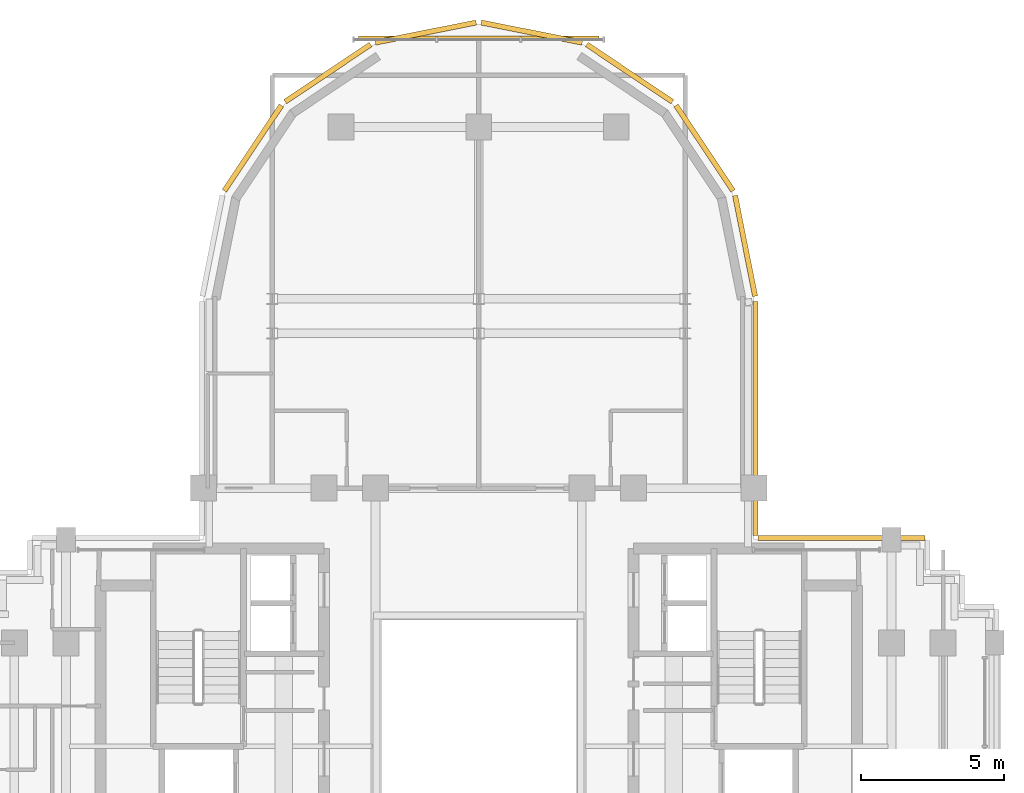
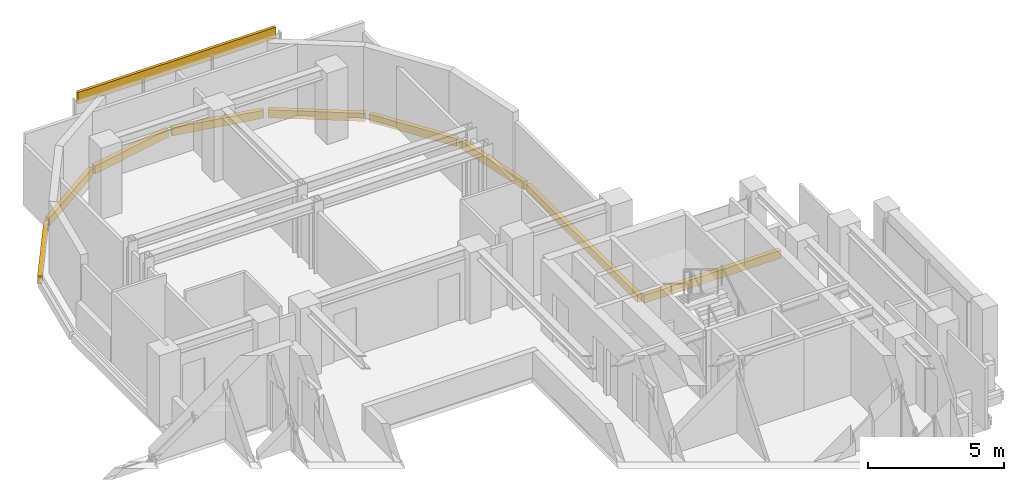
# One storey, part 12 of 12: 10 coverings.
"""IFC4 building model written with IfcOpenShell, lengths in metres."""

from ifc_helpers import new_model, si_unit, direction, frame, origin, origin_2d, place, context, subcontext, project, spatial, rectangle, extrude, source, transform, mapped, material, layer, layer_set, type_object, element, save


model = new_model("IFC4")

# Units and contexts
model_context = context("Model", 3, precision=1e-05, world=origin(), true_north=direction((0.0, 1.0)))
body_context = subcontext(model_context, "Body", "Model", "MODEL_VIEW")
ifc_project = project(units=[si_unit("LENGTHUNIT", "METRE"), si_unit("AREAUNIT", "SQUARE_METRE"), si_unit("VOLUMEUNIT", "CUBIC_METRE"), si_unit("PLANEANGLEUNIT", "RADIAN"), si_unit("MASSUNIT", "GRAM", prefix="KILO")], contexts=[model_context])

# Site, building, storey
site_placement = place(None, origin())
site = spatial("IfcSite", under=ifc_project, at=site_placement, CompositionType="ELEMENT")
building_placement = place(site_placement, origin())
building = spatial("IfcBuilding", under=site, at=building_placement, Name="Keilestroom Media Tower", CompositionType="ELEMENT")
storey_placement = place(building_placement, frame((0.0, 0.0, 187.60009765625)))
storey = spatial("IfcBuildingStorey", under=building, at=storey_placement, Name="L51", CompositionType="ELEMENT", Elevation=187.60009765625)

# Coverings
ifc_material = material(Name="Precast concrete C40/50", Category="concrete")
ifc_layer = layer(ifc_material, 0.1201171875)
ifc_layer_set = layer_set([ifc_layer], Name="Precast concrete C40/50")
covering_type = type_object("IfcCoveringType", Name="Exterior-Precast-Spandrel-Cladding-Panel-120", PredefinedType="CLADDING", material=ifc_layer_set)
shared_shape_1 = source(origin(), body_context, "Body", "SweptSolid", [
    extrude(rectangle(XDim=8.39990234375, YDim=0.1201171875, at=origin_2d()), origin(), (0.0, 0.0, 1.0), 0.52001953125),
])
covering_1_placement = place(storey_placement, frame((0.0, 24.719970703125, 2.68994140625), z_axis=(0.0, 0.0, 1.0), x_axis=(1.0, 0.0, 0.0)))
element("IfcCovering", 1, at=covering_1_placement, inside=storey, type_object=covering_type, Name="L51 Precast Spandrel Cladding N", PredefinedType="CLADDING", context=body_context, shape_type="MappedRepresentation", body=[
    mapped(shared_shape_1, transform((0.0, 0.0, 0.0), x_axis=(1.0, 0.0, 0.0), y_axis=(0.0, 1.0, 0.0), z_axis=(0.0, 0.0, 1.0), scale=1.0)),
])
shared_shape_2 = source(origin(), body_context, "Body", "SweptSolid", [
    extrude(rectangle(XDim=8.166015625, YDim=0.179931640625, at=origin_2d()), origin(), (0.0, 0.0, 1.0), 0.360107421875),
])
covering_2_placement = place(storey_placement, frame((9.659912109375, 11.43310546875, -0.5400390625), z_axis=(0.0, 0.0, 1.0), x_axis=(0.0, -1.0, 0.0)))
element("IfcCovering", 2, at=covering_2_placement, inside=storey, type_object=covering_type, Name="L51 Precast Slab-Edge Fascia Cornice 36", PredefinedType="CLADDING", context=body_context, shape_type="MappedRepresentation", body=[
    mapped(shared_shape_2, transform((0.0, 0.0, 0.0), x_axis=(1.0, 0.0, 0.0), y_axis=(0.0, 1.0, 0.0), z_axis=(0.0, 0.0, 1.0), scale=1.0)),
])
shared_shape_3 = source(origin(), body_context, "Body", "SweptSolid", [
    extrude(rectangle(XDim=3.58349609375, YDim=0.179931640625, at=origin_2d()), origin(), (0.0, 0.0, 1.0), 0.360107421875),
])
covering_3_placement = place(storey_placement, frame((9.29296875, 17.45166015625, -0.5400390625), z_axis=(0.0, 0.0, 1.0), x_axis=(0.195098880975, -0.980783577882, 0.0)))
element("IfcCovering", 3, at=covering_3_placement, inside=storey, type_object=covering_type, Name="L51 Precast Slab-Edge Fascia Cornice 35", PredefinedType="CLADDING", context=body_context, shape_type="MappedRepresentation", body=[
    mapped(shared_shape_3, transform((0.0, 0.0, 0.0), x_axis=(1.0, 0.0, 0.0), y_axis=(0.0, 1.0, 0.0), z_axis=(0.0, 0.0, 1.0), scale=1.0)),
])
shared_shape_4 = source(origin(), body_context, "Body", "SweptSolid", [
    extrude(rectangle(XDim=3.589599609375, YDim=0.179931640625, at=origin_2d()), origin(), (0.0, 0.0, 1.0), 0.360107421875),
])
for number, where, z_axis, x_axis, name in (
    (4, (-7.878662109375, 20.8642578125, -0.5400390625), (0.0, 0.0, 1.0), (0.555574586577, 0.831466703332, 0.0), "L51 Precast Slab-Edge Fascia Cornice 29"),
    (5, (-5.264404296875, 23.478515625, -0.5400390625), (0.0, 0.0, 1.0), (0.831466703332, 0.555574586577, 0.0), "L51 Precast Slab-Edge Fascia Cornice 30"),
    (6, (-1.8486328125, 24.893310546875, -0.5400390625), (0.0, 0.0, 1.0), (0.980783577882, 0.195098880975, 0.0), "L51 Precast Slab-Edge Fascia Cornice 31"),
    (7, (1.8486328125, 24.893310546875, -0.5400390625), (0.0, 0.0, 1.0), (0.980783577882, -0.195098880975, 0.0), "L51 Precast Slab-Edge Fascia Cornice 32"),
    (8, (5.264404296875, 23.478515625, -0.5400390625), (0.0, 0.0, 1.0), (0.831466703332, -0.555574586577, 0.0), "L51 Precast Slab-Edge Fascia Cornice 33"),
    (9, (7.878662109375, 20.8642578125, -0.5400390625), (0.0, 0.0, 1.0), (0.555574586577, -0.831466703332, 0.0), "L51 Precast Slab-Edge Fascia Cornice 34"),
):
    element("IfcCovering", number, at=place(storey_placement, frame(where, z_axis=z_axis, x_axis=x_axis)), inside=storey, type_object=covering_type, Name=name, PredefinedType="CLADDING", context=body_context, shape_type="MappedRepresentation", body=[
        mapped(shared_shape_4, transform((0.0, 0.0, 0.0), x_axis=(1.0, 0.0, 0.0), y_axis=(0.0, 1.0, 0.0), z_axis=(0.0, 0.0, 1.0), scale=1.0)),
    ])
shared_shape_5 = source(origin(), body_context, "Body", "SweptSolid", [
    extrude(rectangle(XDim=5.820068359375, YDim=0.179931640625, at=origin_2d()), origin(), (0.0, 0.0, 1.0), 0.360107421875),
])
covering_4_placement = place(storey_placement, frame((12.659912109375, 7.260009765625, -0.5400390625), z_axis=(0.0, 0.0, 1.0), x_axis=(1.0, 0.0, 0.0)))
element("IfcCovering", 10, at=covering_4_placement, inside=storey, type_object=covering_type, Name="L51 Precast Slab-Edge Fascia Cornice 37", PredefinedType="CLADDING", context=body_context, shape_type="MappedRepresentation", body=[
    mapped(shared_shape_5, transform((0.0, 0.0, 0.0), x_axis=(1.0, 0.0, 0.0), y_axis=(0.0, 1.0, 0.0), z_axis=(0.0, 0.0, 1.0), scale=1.0)),
])

save(model, "model.ifc")
